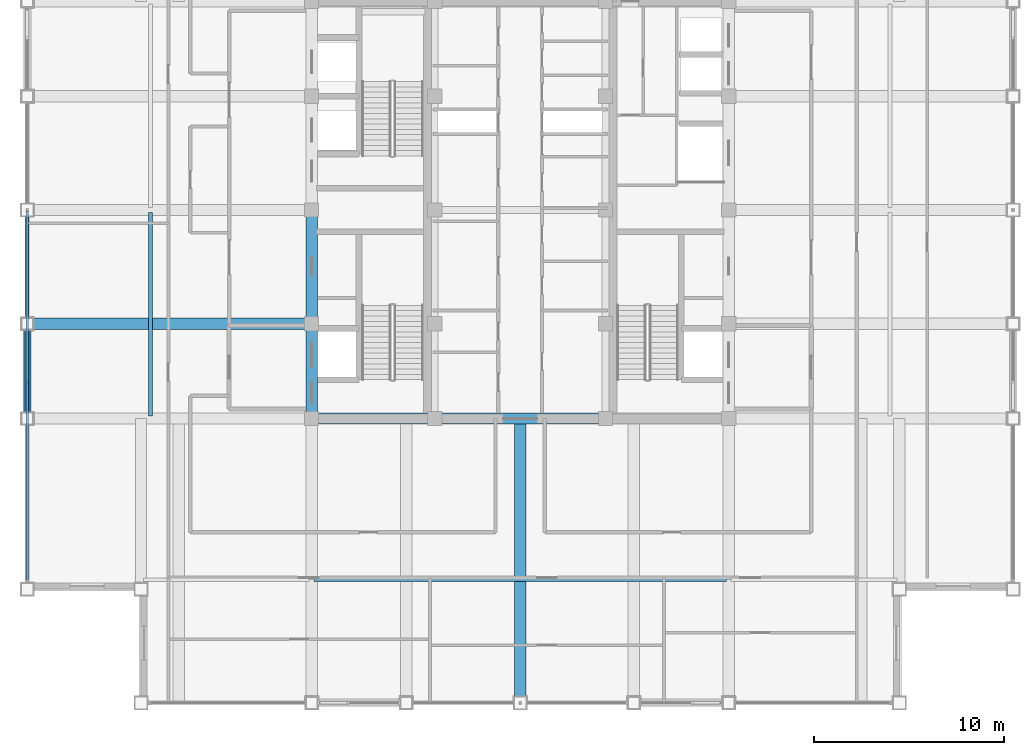
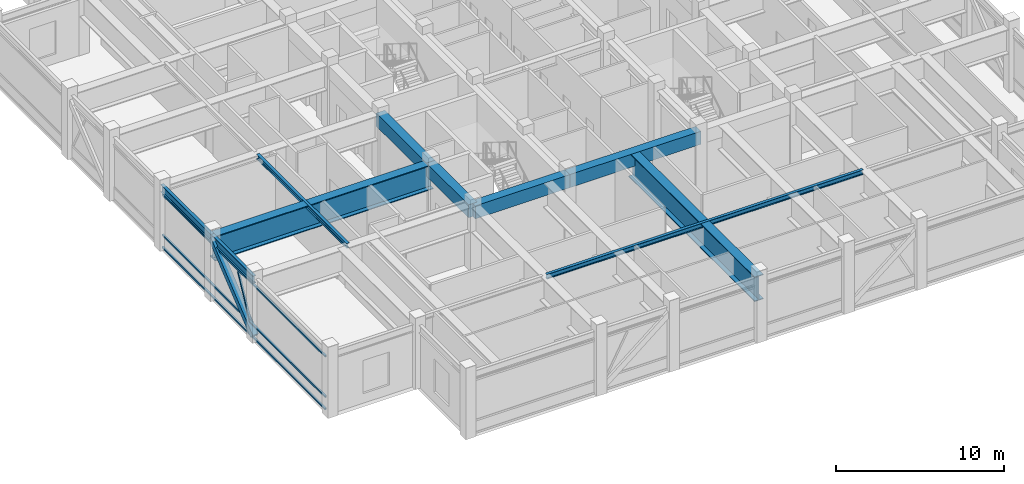
# One storey, part 5 of 29: 10 beams, 5 members, 1 element without a shape of its own.
"""IFC4 building model written with IfcOpenShell, lengths in metres."""

from ifc_helpers import new_model, si_unit, direction, frame, origin, origin_2d, place, context, subcontext, project, spatial, rectangle, hollow_rectangle, i_section, extrude, source, transform, mapped, material, material_profile, profile_set, type_object, element, aggregate, save


model = new_model("IFC4")

# Units and contexts
model_context = context("Model", 3, precision=1e-05, world=origin(), true_north=direction((0.0, 1.0)))
body_context = subcontext(model_context, "Body", "Model", "MODEL_VIEW")
ifc_project = project(units=[si_unit("LENGTHUNIT", "METRE"), si_unit("AREAUNIT", "SQUARE_METRE"), si_unit("VOLUMEUNIT", "CUBIC_METRE"), si_unit("PLANEANGLEUNIT", "RADIAN"), si_unit("MASSUNIT", "GRAM", prefix="KILO")], contexts=[model_context])

# Site, building, storey
site_placement = place(None, origin())
site = spatial("IfcSite", under=ifc_project, at=site_placement, CompositionType="ELEMENT")
building_placement = place(site_placement, origin())
building = spatial("IfcBuilding", under=site, at=building_placement, Name="Khorayat Bourse Tower", CompositionType="ELEMENT")
storey_placement = place(building_placement, frame((0.0, 0.0, 370.300048828125)))
storey = spatial("IfcBuildingStorey", under=building, at=storey_placement, Name="L88", CompositionType="ELEMENT", Elevation=370.300048828125)

# Beams
ifc_material_1 = material(Name="Concrete C60/75", Category="concrete")
ifc_material_profile_1 = material_profile(ifc_material_1, rectangle(XDim=0.60009765625, YDim=0.949951171875, at=origin_2d()), Name="RC 600x950")
ifc_profile_set_1 = profile_set([ifc_material_profile_1], Name="Concrete C60/75")
beam_type_1 = type_object("IfcBeamType", Name="BM-COUP-950", PredefinedType="BEAM", material=ifc_profile_set_1)
shared_shape_1 = source(origin(), body_context, "Body", "SweptSolid", [
    extrude(rectangle(XDim=0.60009765625, YDim=0.949951171875, at=origin_2d()), origin(), (0.0, 0.0, 1.0), 5.0),
])
beam_1_placement = place(storey_placement, frame((-11.0, -11.0, 4.125), z_axis=(0.0, 1.0, 0.0), x_axis=(-1.0, 0.0, 0.0)))
element("IfcBeam", 1, at=beam_1_placement, inside=storey, type_object=beam_type_1, Name="L88 BM-COUP-950 BM-L88-CRX-01", PredefinedType="BEAM", context=body_context, shape_type="MappedRepresentation", body=[
    mapped(shared_shape_1, transform((0.0, 0.0, 0.0), scale=1.0)),
])
shared_shape_2 = source(origin(), body_context, "Body", "SweptSolid", [
    extrude(rectangle(XDim=0.60009765625, YDim=0.949951171875, at=origin_2d()), origin(), (0.0, 0.0, 1.0), 6.0),
])
beam_2_placement = place(storey_placement, frame((-11.0, -6.0, 4.125), z_axis=(0.0, 1.0, 0.0), x_axis=(-1.0, 0.0, 0.0)))
element("IfcBeam", 2, at=beam_2_placement, inside=storey, type_object=beam_type_1, Name="L88 BM-COUP-950 BM-L88-CRX-02", PredefinedType="BEAM", context=body_context, shape_type="MappedRepresentation", body=[
    mapped(shared_shape_2, transform((0.0, 0.0, 0.0), scale=1.0)),
])
shared_shape_3 = source(origin(), body_context, "Body", "SweptSolid", [
    extrude(rectangle(XDim=0.60009765625, YDim=0.949951171875, at=origin_2d()), origin(), (0.0, 0.0, 1.0), 6.5),
])
beam_3_placement = place(storey_placement, frame((-11.0, -11.0, 4.125), z_axis=(1.0, 0.0, 0.0), x_axis=(0.0, 1.0, 0.0)))
element("IfcBeam", 3, at=beam_3_placement, inside=storey, type_object=beam_type_1, Name="L88 BM-COUP-950 BM-L88-CRY-17", PredefinedType="BEAM", context=body_context, shape_type="MappedRepresentation", body=[
    mapped(shared_shape_3, transform((0.0, 0.0, 0.0), scale=1.0)),
])
shared_shape_4 = source(origin(), body_context, "Body", "SweptSolid", [
    extrude(rectangle(XDim=0.60009765625, YDim=0.949951171875, at=origin_2d()), origin(), (0.0, 0.0, 1.0), 9.0),
])
beam_4_placement = place(storey_placement, frame((-4.5, -11.0, 4.125), z_axis=(1.0, 0.0, 0.0), x_axis=(0.0, 1.0, 0.0)))
element("IfcBeam", 4, at=beam_4_placement, inside=storey, type_object=beam_type_1, Name="L88 BM-COUP-950 BM-L88-CRY-18", PredefinedType="BEAM", context=body_context, shape_type="MappedRepresentation", body=[
    mapped(shared_shape_4, transform((0.0, 0.0, 0.0), scale=1.0)),
])
ifc_material_2 = material(Name="Steel ASTM A992 Grade 50", Category="steel")
ifc_material_profile_2 = material_profile(ifc_material_2, i_section(OverallWidth=0.202880859375, OverallDepth=0.346923828125, WebThickness=0.0078125, FlangeThickness=0.013427734375, FilletRadius=0.010009765625, at=origin_2d()), Name="W360X64")
ifc_profile_set_2 = profile_set([ifc_material_profile_2], Name="Steel ASTM A992 Grade 50")
beam_type_2 = type_object("IfcBeamType", Name="BM-JOIST-360", PredefinedType="JOIST", material=ifc_profile_set_2)
shared_shape_5 = source(origin(), body_context, "Body", "SweptSolid", [
    extrude(i_section(OverallWidth=0.202880859375, OverallDepth=0.346923828125, WebThickness=0.0078125, FlangeThickness=0.013427734375, FilletRadius=0.010009765625, at=origin_2d()), origin(), (0.0, 0.0, 1.0), 21.740234375),
])
beam_5_placement = place(storey_placement, frame((-10.8701171875, -19.5, 4.426513671875), z_axis=(1.0, 0.0, 0.0), x_axis=(0.0, 1.0, 0.0)))
element("IfcBeam", 5, at=beam_5_placement, inside=storey, type_object=beam_type_2, Name="L88 BM-JOIST-360 BM-L88-JSTX-089", PredefinedType="JOIST", context=body_context, shape_type="MappedRepresentation", body=[
    mapped(shared_shape_5, transform((0.0, 0.0, 0.0), scale=1.0)),
])
shared_shape_6 = source(origin(), body_context, "Body", "SweptSolid", [
    extrude(i_section(OverallWidth=0.202880859375, OverallDepth=0.346923828125, WebThickness=0.0078125, FlangeThickness=0.013427734375, FilletRadius=0.010009765625, at=origin_2d()), origin(), (0.0, 0.0, 1.0), 10.740234375),
])
beam_6_placement = place(storey_placement, frame((-19.5, -10.8701171875, 4.426513671875), z_axis=(0.0, 1.0, 0.0), x_axis=(-1.0, 0.0, 0.0)))
element("IfcBeam", 6, at=beam_6_placement, inside=storey, type_object=beam_type_2, Name="L88 BM-JOIST-360 BM-L88-JSTY-094", PredefinedType="JOIST", context=body_context, shape_type="MappedRepresentation", body=[
    mapped(shared_shape_6, transform((0.0, 0.0, 0.0), scale=1.0)),
])
ifc_material_profile_3 = material_profile(ifc_material_2, i_section(OverallWidth=0.214111328125, OverallDepth=0.549072265625, WebThickness=0.0146484375, FlangeThickness=0.023681640625, FilletRadius=0.013916015625, at=origin_2d()), Name="W530X138")
ifc_profile_set_3 = profile_set([ifc_material_profile_3], Name="Steel ASTM A992 Grade 50")
beam_type_3 = type_object("IfcBeamType", Name="BM-SPAN-530", PredefinedType="SPANDREL", material=ifc_profile_set_3)
shared_shape_7 = source(origin(), body_context, "Body", "SweptSolid", [
    extrude(i_section(OverallWidth=0.214111328125, OverallDepth=0.549072265625, WebThickness=0.0146484375, FlangeThickness=0.023681640625, FilletRadius=0.013916015625, at=origin_2d()), origin(), (0.0, 0.0, 1.0), 5.0),
])
beam_7_placement = place(storey_placement, frame((-26.0, -11.0, 4.325439453125), z_axis=(0.0, 1.0, 0.0), x_axis=(-1.0, 0.0, 0.0)))
element("IfcBeam", 7, at=beam_7_placement, inside=storey, type_object=beam_type_3, Name="L88 BM-SPAN-530 BM-L88-SPN-052", PredefinedType="SPANDREL", context=body_context, shape_type="MappedRepresentation", body=[
    mapped(shared_shape_7, transform((0.0, 0.0, 0.0), scale=1.0)),
])
shared_shape_8 = source(origin(), body_context, "Body", "SweptSolid", [
    extrude(i_section(OverallWidth=0.214111328125, OverallDepth=0.549072265625, WebThickness=0.0146484375, FlangeThickness=0.023681640625, FilletRadius=0.013916015625, at=origin_2d()), origin(), (0.0, 0.0, 1.0), 6.0),
])
beam_8_placement = place(storey_placement, frame((-26.0, -6.0, 4.325439453125), z_axis=(0.0, 1.0, 0.0), x_axis=(-1.0, 0.0, 0.0)))
element("IfcBeam", 8, at=beam_8_placement, inside=storey, type_object=beam_type_3, Name="L88 BM-SPAN-530 BM-L88-SPN-051", PredefinedType="SPANDREL", context=body_context, shape_type="MappedRepresentation", body=[
    mapped(shared_shape_8, transform((0.0, 0.0, 0.0), scale=1.0)),
])
ifc_material_3 = material(Name="Steel EN 10025-4 S460M", Category="steel")
ifc_material_profile_4 = material_profile(ifc_material_3, i_section(OverallWidth=0.60009765625, OverallDepth=1.800048828125, WebThickness=0.031982421875, FlangeThickness=0.06005859375, at=origin_2d()), Name="PG 1800x600x32x60")
ifc_profile_set_4 = profile_set([ifc_material_profile_4], Name="Steel EN 10025-4 S460M")
beam_type_4 = type_object("IfcBeamType", Name="BM-TR-1800", PredefinedType="BEAM", material=ifc_profile_set_4)
shared_shape_9 = source(origin(), body_context, "Body", "SweptSolid", [
    extrude(i_section(OverallWidth=0.60009765625, OverallDepth=1.800048828125, WebThickness=0.031982421875, FlangeThickness=0.06005859375, at=origin_2d()), origin(), (0.0, 0.0, 1.0), 15.0),
])
for number, where, z_axis, x_axis, name in (
    (9, (0.0, -26.0, 3.699951171875), (0.0, 1.0, 0.0), (-1.0, 0.0, 0.0), "L88 BM-TR-1800 BM-L88-RADY-061"),
    (10, (-26.0, -6.0, 3.699951171875), (1.0, 0.0, 0.0), (0.0, 1.0, 0.0), "L88 BM-TR-1800 BM-L88-RADX-069"),
):
    element("IfcBeam", number, at=place(storey_placement, frame(where, z_axis=z_axis, x_axis=x_axis)), inside=storey, type_object=beam_type_4, Name=name, PredefinedType="BEAM", context=body_context, shape_type="MappedRepresentation", body=[
        mapped(shared_shape_9, transform((0.0, 0.0, 0.0), scale=1.0)),
    ])

# Member
ifc_material_profile_5 = material_profile(ifc_material_3, hollow_rectangle(XDim=0.39990234375, YDim=0.39990234375, WallThickness=0.02197265625, at=origin_2d()), Name="HSS 400x400x22")
ifc_profile_set_5 = profile_set([ifc_material_profile_5], Name="Steel EN 10025-4 S460M")
member_type_1 = type_object("IfcMemberType", Name="MBR-TUBE-400", PredefinedType="BRACE", material=ifc_profile_set_5)
shared_shape_10 = source(origin(), body_context, "Body", "SweptSolid", [
    extrude(hollow_rectangle(XDim=0.39990234375, YDim=0.39990234375, WallThickness=0.02197265625, at=origin_2d()), origin(), (0.0, 0.0, 1.0), 6.466064453125),
])
member_1_placement = place(storey_placement, frame((-26.0, -11.0, 0.25), z_axis=(0.0, 0.773278898257, 0.634066041916), x_axis=(-1.0, 0.0, 0.0)))
element("IfcMember", 11, at=member_1_placement, inside=storey, type_object=member_type_1, Name="L88 Perimeter Tube Brace 05", PredefinedType="BRACE", context=body_context, shape_type="MappedRepresentation", body=[
    mapped(shared_shape_10, transform((0.0, 0.0, 0.0), scale=1.0)),
])

# Curtain wall, members
ifc_material_4 = material(Name="Aluminium EN AW-6063 T6", Category="aluminium")
curtain_wall_type = type_object("IfcCurtainWallType", Name="CW-SYS-04", PredefinedType="NOTDEFINED", material=ifc_material_4)
curtain_wall_placement = place(storey_placement, origin())
curtain_wall = element("IfcCurtainWall", 12, at=curtain_wall_placement, inside=storey, type_object=curtain_wall_type, Name="L88 Curtain Wall CW-L88-W1", PredefinedType="NOTDEFINED")
ifc_material_profile_6 = material_profile(ifc_material_4, hollow_rectangle(XDim=0.1201171875, YDim=0.1201171875, WallThickness=0.0048828125, at=origin_2d()), Name="ALU 120x120x5")
ifc_profile_set_6 = profile_set([ifc_material_profile_6], Name="Aluminium EN AW-6063 T6")
member_type_2 = type_object("IfcMemberType", Name="CWM-DIAG-120", PredefinedType="MULLION", material=ifc_profile_set_6)
shared_shape_11 = source(origin(), body_context, "Body", "SweptSolid", [
    extrude(hollow_rectangle(XDim=0.1201171875, YDim=0.1201171875, WallThickness=0.0048828125, at=origin_2d()), origin(), (0.0, 0.0, 1.0), 3.006103515625),
])
member_2_placement = place(storey_placement, frame((-26.0, -10.469970703125, 1.08984375), z_axis=(0.0, 0.465699569312, 0.884942885808), x_axis=(-1.0, 0.0, 0.0)))
member_2 = element("IfcMember", 13, at=member_2_placement, type_object=member_type_2, Name="CW-L88-W1 Faceted Diagonal Mullion 1", PredefinedType="MULLION", context=body_context, shape_type="MappedRepresentation", body=[
    mapped(shared_shape_11, transform((0.0, 0.0, 0.0), scale=1.0)),
])
ifc_material_profile_7 = material_profile(ifc_material_4, hollow_rectangle(XDim=0.1201171875, YDim=0.1201171875, WallThickness=0.0048828125, at=origin_2d()), Name="ALU 120x120x5")
ifc_profile_set_7 = profile_set([ifc_material_profile_7], Name="Aluminium EN AW-6063 T6")
member_type_3 = type_object("IfcMemberType", Name="CWT-HORZ-120", PredefinedType="USERDEFINED", material=ifc_profile_set_7)
shared_shape_12 = source(origin(), body_context, "Body", "SweptSolid", [
    extrude(hollow_rectangle(XDim=0.1201171875, YDim=0.1201171875, WallThickness=0.0048828125, at=origin_2d()), origin(), (0.0, 0.0, 1.0), 19.419921875),
])
member_3_placement = place(storey_placement, frame((-26.0, -19.47998046875, 0.06005859375), z_axis=(0.0, 1.0, 0.0), x_axis=(-1.0, 0.0, 0.0)))
member_3 = element("IfcMember", 14, at=member_3_placement, type_object=member_type_3, Name="CW-L88-W1 Horizontal Transom 1-1", ObjectType="TRANSOM", PredefinedType="USERDEFINED", context=body_context, shape_type="MappedRepresentation", body=[
    mapped(shared_shape_12, transform((0.0, 0.0, 0.0), scale=1.0)),
])
member_4_placement = place(storey_placement, frame((-26.0, -19.47998046875, 0.949951171875), z_axis=(0.0, 1.0, 0.0), x_axis=(-1.0, 0.0, 0.0)))
member_4 = element("IfcMember", 15, at=member_4_placement, type_object=member_type_3, Name="CW-L88-W1 Horizontal Transom 1-2", ObjectType="TRANSOM", PredefinedType="USERDEFINED", context=body_context, shape_type="MappedRepresentation", body=[
    mapped(shared_shape_12, transform((0.0, 0.0, 0.0), scale=1.0)),
])
member_5_placement = place(storey_placement, frame((-26.0, -19.47998046875, 3.889892578125), z_axis=(0.0, 1.0, 0.0), x_axis=(-1.0, 0.0, 0.0)))
member_5 = element("IfcMember", 16, at=member_5_placement, type_object=member_type_3, Name="CW-L88-W1 Horizontal Transom 1-3", ObjectType="TRANSOM", PredefinedType="USERDEFINED", context=body_context, shape_type="MappedRepresentation", body=[
    mapped(shared_shape_12, transform((0.0, 0.0, 0.0), scale=1.0)),
])
aggregate(curtain_wall, [member_3, member_4, member_5, member_2])

save(model, "model.ifc")
